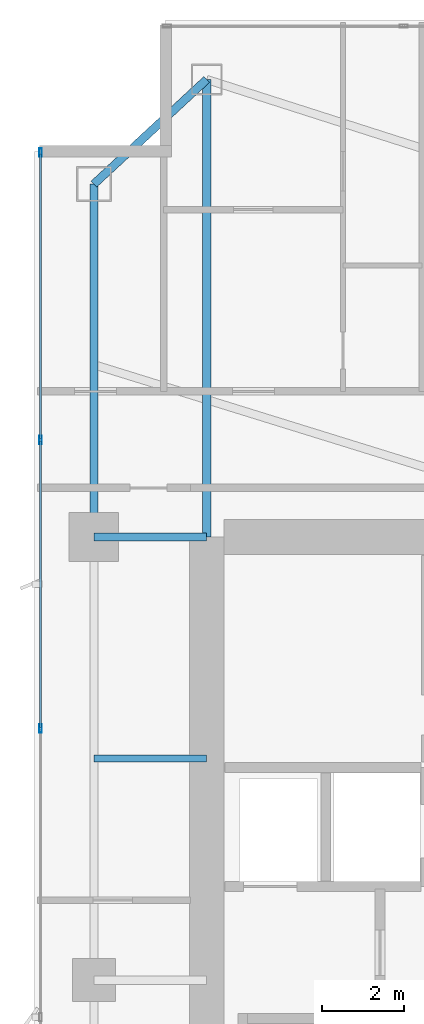
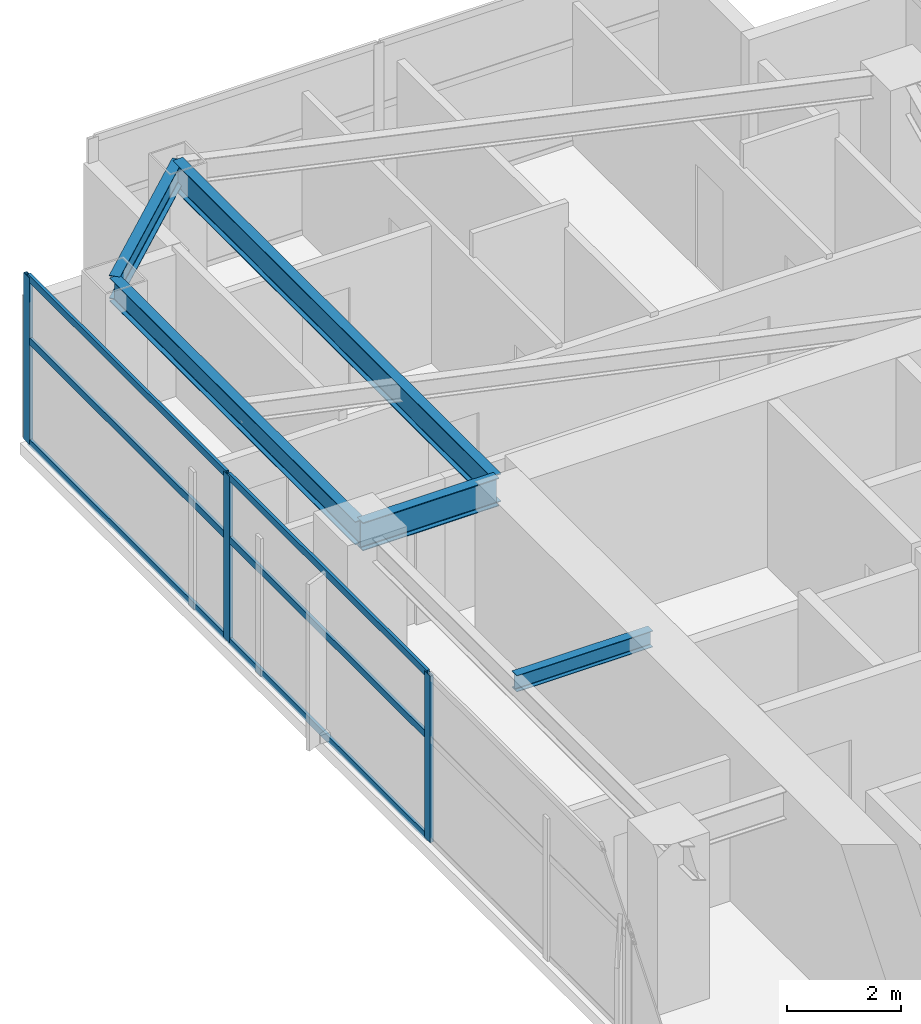
# One storey, part 16 of 29: 9 members, 5 beams, 1 element without a shape of its own.
"""IFC4 building model written with IfcOpenShell, lengths in metres."""

import ifcopenshell
import ifcopenshell.guid

model = None  # the IFC model being written
_history = None  # IfcOwnerHistory: only IFC2X3 demands one
_inside = {}  # id of a spatial element -> (the spatial element, [elements in it])
_under = {}  # id of a project, library or spatial element -> (it, [spatial elements below it])
_declared = {}  # id of a project -> (the project, [libraries it declares])
_typed = {}  # id of a type object -> (the type object, [elements of that type])
_made_of = {}  # id of a material, layer set ... -> (it, [elements and type objects made of it])


def new_model(schema):
    """Start an empty IFC model of exactly this schema.

    Asked for "IFC4X3", IfcOpenShell would pick the latest addendum, in which some entities
    have other attributes; the version numbers below select the first issue.
    IFC2X3 requires an IfcOwnerHistory on every rooted entity: one is made here for all.
    """
    global model, _history
    if schema == "IFC4X3":
        model = ifcopenshell.file(schema_version=(4, 3, 0, 0))
    else:
        model = ifcopenshell.file(schema=schema)
    _inside.clear()
    _under.clear()
    _declared.clear()
    _typed.clear()
    _made_of.clear()
    _history = None
    if model.schema == "IFC2X3":
        org = make("IfcOrganization", Name="unknown")
        user = make(
            "IfcPersonAndOrganization",
            ThePerson=make("IfcPerson", FamilyName="unknown"),
            TheOrganization=org,
        )
        app = make(
            "IfcApplication",
            ApplicationDeveloper=org,
            Version="unknown",
            ApplicationFullName="unknown",
            ApplicationIdentifier="unknown",
        )
        _history = make(
            "IfcOwnerHistory",
            OwningUser=user,
            OwningApplication=app,
            ChangeAction="ADDED",
            CreationDate=0,
        )
    return model


def make(cls, **values):
    """One entity of the class cls with the attributes given. An attribute that is None is left unset."""
    return model.create_entity(
        cls, **{name: value for name, value in values.items() if value is not None}
    )


def rooted(cls, **values):
    """An entity with a GlobalId (a new one), such as an element, a storey or a relation."""
    return make(cls, GlobalId=ifcopenshell.guid.new(), OwnerHistory=_history, **values)


def si_unit(unit_type, name, prefix=None):
    """IfcSIUnit, for example si_unit("LENGTHUNIT", "METRE", prefix="MILLI")."""
    return make("IfcSIUnit", UnitType=unit_type, Prefix=prefix, Name=name)


def assignment(units):
    """IfcUnitAssignment: the units of a project."""
    return None if units is None else make("IfcUnitAssignment", Units=units)


def point(xyz):
    """IfcCartesianPoint."""
    return None if xyz is None else make("IfcCartesianPoint", Coordinates=xyz)


def direction(xyz):
    """IfcDirection."""
    return None if xyz is None else make("IfcDirection", DirectionRatios=xyz)


def frame(location, z_axis=None, x_axis=None):
    """IfcAxis2Placement3D, a coordinate frame: its origin and axes. An axis left out is left unset."""
    return make(
        "IfcAxis2Placement3D",
        Location=point(location),
        Axis=direction(z_axis),
        RefDirection=direction(x_axis),
    )


def frame_2d(location, x_axis=None):
    """IfcAxis2Placement2D, a coordinate frame in the plane: its origin and x axis."""
    return make(
        "IfcAxis2Placement2D", Location=point(location), RefDirection=direction(x_axis)
    )


def origin():
    """The frame at (0, 0, 0) with its axes left unset."""
    return frame((0.0, 0.0, 0.0))


def origin_2d():
    """The frame at (0, 0) in the plane with its x axis left unset."""
    return frame_2d((0.0, 0.0))


def place(relative_to, where):
    """IfcLocalPlacement: puts the frame where relative to a parent placement (None: the world)."""
    return make(
        "IfcLocalPlacement", PlacementRelTo=relative_to, RelativePlacement=where
    )


def context(
    kind, dimensions, precision=None, world=None, true_north=None, identifier=None
):
    """IfcGeometricRepresentationContext, for example the 3D "Model" context."""
    return make(
        "IfcGeometricRepresentationContext",
        ContextIdentifier=identifier,
        ContextType=kind,
        CoordinateSpaceDimension=dimensions,
        Precision=precision,
        WorldCoordinateSystem=world,
        TrueNorth=true_north,
    )


def subcontext(parent, identifier, kind, view, scale=None):
    """IfcGeometricRepresentationSubContext, for example "Body" below "Model"."""
    return make(
        "IfcGeometricRepresentationSubContext",
        ContextIdentifier=identifier,
        ContextType=kind,
        ParentContext=parent,
        TargetScale=scale,
        TargetView=view,
    )


def project(units=None, contexts=None):
    """IfcProject with its units and contexts."""
    return rooted(
        "IfcProject",
        Name="project",
        RepresentationContexts=contexts,
        UnitsInContext=assignment(units),
    )


def spatial(cls, under=None, at=None, **own):
    """A site, building, storey or space (cls), placed at a placement, below another one or the project."""
    s = rooted(cls, ObjectPlacement=at, **own)
    if under is not None:
        _under.setdefault(under.id(), (under, []))[1].append(s)
    return s


def profile(cls, at=None, kind="AREA", **sizes):
    """A parametric profile (cls). Its sizes go by their IFC names, for example OverallWidth=200.0."""
    return make(cls, ProfileType=kind, Position=at, **sizes)


def hollow_rectangle(**sizes):
    """IfcRectangleHollowProfileDef."""
    return profile("IfcRectangleHollowProfileDef", **sizes)


def i_section(**sizes):
    """IfcIShapeProfileDef."""
    return profile("IfcIShapeProfileDef", **sizes)


def extrude(swept, where, along, depth):
    """IfcExtrudedAreaSolid: the profile swept, set in the frame where, extruded along a direction by depth."""
    return make(
        "IfcExtrudedAreaSolid",
        SweptArea=swept,
        Position=where,
        ExtrudedDirection=direction(along),
        Depth=depth,
    )


def shape(context_of_items, identifier, shape_type, items):
    """IfcShapeRepresentation: the items that make up one representation, for example the "Body"."""
    return make(
        "IfcShapeRepresentation",
        ContextOfItems=context_of_items,
        RepresentationIdentifier=identifier,
        RepresentationType=shape_type,
        Items=items,
    )


def material(Name=None, Category=None):
    """IfcMaterial."""
    return make("IfcMaterial", Name=Name, Category=Category)


def layer(
    of_material, thickness, ventilated=None, Name=None, Category=None, Priority=None
):
    """IfcMaterialLayer: one layer of a wall or slab, of a material (None: an air gap)."""
    return make(
        "IfcMaterialLayer",
        Material=of_material,
        LayerThickness=thickness,
        IsVentilated=ventilated,
        Name=Name,
        Category=Category,
        Priority=Priority,
    )


def layer_set(layers, Name=None):
    """IfcMaterialLayerSet."""
    return make("IfcMaterialLayerSet", MaterialLayers=layers, LayerSetName=Name)


def material_profile(
    of_material, cross_section, Name=None, Category=None, Priority=None
):
    """IfcMaterialProfile: a cross section and its material."""
    return make(
        "IfcMaterialProfile",
        Name=Name,
        Material=of_material,
        Profile=cross_section,
        Priority=Priority,
        Category=Category,
    )


def profile_set(profiles, Name=None, composite=None):
    """IfcMaterialProfileSet."""
    return make(
        "IfcMaterialProfileSet",
        Name=Name,
        MaterialProfiles=profiles,
        CompositeProfile=composite,
    )


def made_of(thing, what):
    """Note that an element or type object is made of a material, layer set ...; save() writes the relation."""
    if what is not None:
        _made_of.setdefault(what.id(), (what, []))[1].append(thing)
    return thing


def type_object(cls, material=None, **own):
    """A type object (cls), such as IfcWallType, which elements share."""
    return made_of(rooted(cls, **own), material)


def element(
    cls,
    number,
    at=None,
    inside=None,
    cuts=None,
    type_object=None,
    material=None,
    context=None,
    identifier="Body",
    shape_type=None,
    held_by="IfcProductDefinitionShape",
    body=None,
    shapes=None,
    **own,
):
    """One element of the class cls, such as IfcWall. Its Tag is "e" and its number.

    at: its placement. inside: the storey or other place that contains it. cuts: it is an
    opening in that element (IfcRelVoidsElement). A single representation is given by context,
    identifier, shape_type and body (its items); several are given by shapes. held_by: the class
    of the entity that holds the representations. save() writes the other relations.
    """
    e = rooted(cls, Tag="e%d" % number, ObjectPlacement=at, **own)
    if body is not None:
        shapes = [shape(context, identifier, shape_type, body)]
    if shapes is not None:
        e.Representation = make(held_by, Representations=shapes)
    if inside is not None:
        _inside.setdefault(inside.id(), (inside, []))[1].append(e)
    if cuts is not None:
        rooted(
            "IfcRelVoidsElement", RelatingBuildingElement=cuts, RelatedOpeningElement=e
        )
    if type_object is not None:
        _typed.setdefault(type_object.id(), (type_object, []))[1].append(e)
    return made_of(e, material)


def aggregate(whole, parts):
    """IfcRelAggregates: a whole, such as a stair, and the parts it consists of."""
    return rooted("IfcRelAggregates", RelatingObject=whole, RelatedObjects=parts)


def save(model, path):
    """Write the relations noted so far, then the file.

    IfcRelAggregates (storeys below a building ...), IfcRelContainedInSpatialStructure (elements
    in a storey), IfcRelDefinesByType, IfcRelAssociatesMaterial and IfcRelDeclares: one each for
    every whole, place, type object, material and project.
    """
    for whole, parts in _under.values():
        aggregate(whole, parts)
    for where, things in _inside.values():
        rooted(
            "IfcRelContainedInSpatialStructure",
            RelatedElements=things,
            RelatingStructure=where,
        )
    for kind, things in _typed.values():
        rooted("IfcRelDefinesByType", RelatedObjects=things, RelatingType=kind)
    for what, things in _made_of.values():
        rooted("IfcRelAssociatesMaterial", RelatedObjects=things, RelatingMaterial=what)
    for by, libraries in _declared.values():
        rooted("IfcRelDeclares", RelatingContext=by, RelatedDefinitions=libraries)
    model.write(path)


model = new_model("IFC4")

# Units and contexts
model_context = context("Model", 3, precision=1e-05, world=origin(), true_north=direction((0.0, 1.0)))
body_context = subcontext(model_context, "Body", "Model", "MODEL_VIEW")
ifc_project = project(units=[si_unit("LENGTHUNIT", "METRE"), si_unit("AREAUNIT", "SQUARE_METRE"), si_unit("VOLUMEUNIT", "CUBIC_METRE"), si_unit("PLANEANGLEUNIT", "RADIAN"), si_unit("MASSUNIT", "GRAM", prefix="KILO")], contexts=[model_context])

# Site, building, storey
site_placement = place(None, origin())
site = spatial("IfcSite", under=ifc_project, at=site_placement, CompositionType="ELEMENT")
building_placement = place(site_placement, origin())
building = spatial("IfcBuilding", under=site, at=building_placement, Name="Calvorn Quay Hotel", CompositionType="ELEMENT")
storey_placement = place(building_placement, frame((0.0, 0.0, 175.10009765625)))
storey = spatial("IfcBuildingStorey", under=building, at=storey_placement, Name="L43", CompositionType="ELEMENT", Elevation=175.10009765625)

# Beams
ifc_material_1 = material(Name="Steel Q355B", Category="steel")
ifc_material_profile_1 = material_profile(ifc_material_1, i_section(OverallWidth=0.199951171875, OverallDepth=0.60009765625, WebThickness=0.010986328125, FlangeThickness=0.01708984375, FilletRadius=0.01806640625, at=origin_2d()), Name="HN600x200x11x17")
ifc_profile_set_1 = profile_set([ifc_material_profile_1], Name="Steel Q355B")
beam_type_1 = type_object("IfcBeamType", Name="BM-GIRD-TYP", PredefinedType="BEAM", material=ifc_profile_set_1)
beam_1_placement = place(storey_placement, frame((1.449951171875, 38.39990234375, 3.239990234375), z_axis=(1.0, 0.0, 0.0), x_axis=(0.0, 1.0, 0.0)))
element("IfcBeam", 1, at=beam_1_placement, inside=storey, type_object=beam_type_1, Name="Beam BG-L43-W3", PredefinedType="BEAM", context=body_context, shape_type="SweptSolid", body=[
    extrude(i_section(OverallWidth=0.199951171875, OverallDepth=0.60009765625, WebThickness=0.010986328125, FlangeThickness=0.01708984375, FilletRadius=0.01806640625, at=origin_2d()), origin(), (0.0, 0.0, 1.0), 2.75),
])
beam_2_placement = place(storey_placement, frame((4.199951171875, 49.550048828125, 3.239990234375), z_axis=(0.0, -1.0, 0.0), x_axis=(1.0, 0.0, 0.0)))
element("IfcBeam", 2, at=beam_2_placement, inside=storey, type_object=beam_type_1, Name="Beam BG-L43-W5", PredefinedType="BEAM", context=body_context, shape_type="SweptSolid", body=[
    extrude(i_section(OverallWidth=0.199951171875, OverallDepth=0.60009765625, WebThickness=0.010986328125, FlangeThickness=0.01708984375, FilletRadius=0.01806640625, at=origin_2d()), origin(), (0.0, 0.0, 1.0), 11.150146484375),
])
ifc_material_2 = material(Name="Steel Q355B", Category="steel")
ifc_material_profile_2 = material_profile(ifc_material_2, i_section(OverallWidth=0.175048828125, OverallDepth=0.35009765625, WebThickness=0.007080078125, FlangeThickness=0.010986328125, FilletRadius=0.013916015625, at=origin_2d()), Name="HN350x175x7x11")
ifc_profile_set_2 = profile_set([ifc_material_profile_2], Name="Steel Q355B")
beam_type_2 = type_object("IfcBeamType", Name="BM-JOIST-SEC", PredefinedType="JOIST", material=ifc_profile_set_2)
beam_3_placement = place(storey_placement, frame((1.449951171875, 33.0, 3.364990234375), z_axis=(1.0, 0.0, 0.0), x_axis=(0.0, 1.0, 0.0)))
element("IfcBeam", 3, at=beam_3_placement, inside=storey, type_object=beam_type_2, Name="Beam BJ-L43-W4", PredefinedType="JOIST", context=body_context, shape_type="SweptSolid", body=[
    extrude(i_section(OverallWidth=0.175048828125, OverallDepth=0.35009765625, WebThickness=0.007080078125, FlangeThickness=0.010986328125, FilletRadius=0.013916015625, at=origin_2d()), origin(), (0.0, 0.0, 1.0), 2.75),
])
ifc_material_3 = material(Name="Steel Q355B", Category="steel")
ifc_material_profile_3 = material_profile(ifc_material_3, i_section(OverallWidth=0.199951171875, OverallDepth=0.5, WebThickness=0.010009765625, FlangeThickness=0.01611328125, FilletRadius=0.01611328125, at=origin_2d()), Name="HN500x200x10x16")
ifc_profile_set_3 = profile_set([ifc_material_profile_3], Name="Steel Q355B")
beam_type_3 = type_object("IfcBeamType", Name="BM-SPANDREL-Z1", PredefinedType="SPANDREL", material=ifc_profile_set_3)
beam_4_placement = place(storey_placement, frame((1.449951171875, 38.39990234375, 3.289794921875), z_axis=(0.0, 1.0, 0.0), x_axis=(-1.0, 0.0, 0.0)))
element("IfcBeam", 4, at=beam_4_placement, inside=storey, type_object=beam_type_3, Name="Beam BSP-L43-W4", PredefinedType="SPANDREL", context=body_context, shape_type="SweptSolid", body=[
    extrude(i_section(OverallWidth=0.199951171875, OverallDepth=0.5, WebThickness=0.010009765625, FlangeThickness=0.01611328125, FilletRadius=0.01611328125, at=origin_2d()), origin(), (0.0, 0.0, 1.0), 8.60009765625),
])
beam_5_placement = place(storey_placement, frame((1.449951171875, 47.0, 3.289794921875), z_axis=(0.733261665538, 0.679946563969, 0.0), x_axis=(-0.679946563969, 0.733261665538, 0.0)))
element("IfcBeam", 5, at=beam_5_placement, inside=storey, type_object=beam_type_3, Name="Beam BSP-L43-W5", PredefinedType="SPANDREL", context=body_context, shape_type="SweptSolid", body=[
    extrude(i_section(OverallWidth=0.199951171875, OverallDepth=0.5, WebThickness=0.010009765625, FlangeThickness=0.01611328125, FilletRadius=0.01611328125, at=origin_2d()), origin(), (0.0, 0.0, 1.0), 3.75048828125),
])

# Curtain wall, members
ifc_material_4 = material(Name="Pale Anodised Aluminium and Low-E Glass", Category="aluminium")
ifc_layer = layer(ifc_material_4, 0.219970703125)
ifc_layer_set = layer_set([ifc_layer], Name="CW-SYS-Z2")
curtain_wall_type = type_object("IfcCurtainWallType", Name="CW-SYS-Z2", PredefinedType="NOTDEFINED", material=ifc_layer_set)
curtain_wall_placement = place(storey_placement, origin())
curtain_wall = element("IfcCurtainWall", 6, at=curtain_wall_placement, inside=storey, type_object=curtain_wall_type, Name="Tower West Curtain Wall (L43)", PredefinedType="NOTDEFINED")
ifc_material_5 = material(Name="Pale Anodised Aluminium 6063-T6", Category="aluminium")
ifc_material_profile_4 = material_profile(ifc_material_5, hollow_rectangle(XDim=0.070068359375, YDim=0.199951171875, WallThickness=0.00390625, at=origin_2d()), Name="ALU-M200x70x4")
ifc_profile_set_4 = profile_set([ifc_material_profile_4], Name="Pale Anodised Aluminium 6063-T6")
member_type_1 = type_object("IfcMemberType", Name="CW-SYS-Z2-MUL", PredefinedType="MULLION", material=ifc_profile_set_4)
member_1_placement = place(storey_placement, frame((0.14990234375, 33.7333984375, 0.0), z_axis=(0.0, 0.0, 1.0), x_axis=(-1.0, 0.0, 0.0)))
member_1 = element("IfcMember", 7, at=member_1_placement, type_object=member_type_1, Name="CW-L43-W mullion 5", PredefinedType="MULLION", context=body_context, shape_type="SweptSolid", body=[
    extrude(hollow_rectangle(XDim=0.070068359375, YDim=0.199951171875, WallThickness=0.00390625, at=origin_2d()), origin(), (0.0, 0.0, 1.0), 3.559814453125),
])
member_2_placement = place(storey_placement, frame((0.14990234375, 40.7666015625, 0.0), z_axis=(0.0, 0.0, 1.0), x_axis=(-1.0, 0.0, 0.0)))
member_2 = element("IfcMember", 8, at=member_2_placement, type_object=member_type_1, Name="CW-L43-W mullion 6", PredefinedType="MULLION", context=body_context, shape_type="SweptSolid", body=[
    extrude(hollow_rectangle(XDim=0.070068359375, YDim=0.199951171875, WallThickness=0.00390625, at=origin_2d()), origin(), (0.0, 0.0, 1.0), 3.559814453125),
])
member_3_placement = place(storey_placement, frame((0.14990234375, 47.77001953125, 0.0), z_axis=(0.0, 0.0, 1.0), x_axis=(-1.0, 0.0, 0.0)))
member_3 = element("IfcMember", 9, at=member_3_placement, type_object=member_type_1, Name="CW-L43-W mullion 7", PredefinedType="MULLION", context=body_context, shape_type="SweptSolid", body=[
    extrude(hollow_rectangle(XDim=0.070068359375, YDim=0.199951171875, WallThickness=0.00390625, at=origin_2d()), origin(), (0.0, 0.0, 1.0), 3.559814453125),
])
ifc_material_6 = material(Name="Pale Anodised Aluminium 6063-T6", Category="aluminium")
ifc_material_profile_5 = material_profile(ifc_material_6, hollow_rectangle(XDim=0.06005859375, YDim=0.14990234375, WallThickness=0.00341796875, at=origin_2d()), Name="ALU-T150x60x3.5")
ifc_profile_set_5 = profile_set([ifc_material_profile_5], Name="Pale Anodised Aluminium 6063-T6")
member_type_2 = type_object("IfcMemberType", Name="CW-SYS-Z2-TRN", PredefinedType="USERDEFINED", material=ifc_profile_set_5)
member_4_placement = place(storey_placement, frame((0.14990234375, 33.763427734375, 0.02978515625), z_axis=(0.0, 1.0, 0.0), x_axis=(-1.0, 0.0, 0.0)))
member_4 = element("IfcMember", 10, at=member_4_placement, type_object=member_type_2, Name="CW-L43-W transom 5.1", ObjectType="TRANSOM", PredefinedType="USERDEFINED", context=body_context, shape_type="SweptSolid", body=[
    extrude(hollow_rectangle(XDim=0.06005859375, YDim=0.14990234375, WallThickness=0.00341796875, at=origin_2d()), origin(), (0.0, 0.0, 1.0), 6.97314453125),
])
member_5_placement = place(storey_placement, frame((0.14990234375, 33.763427734375, 2.199951171875), z_axis=(0.0, 1.0, 0.0), x_axis=(-1.0, 0.0, 0.0)))
member_5 = element("IfcMember", 11, at=member_5_placement, type_object=member_type_2, Name="CW-L43-W transom 5.2", ObjectType="TRANSOM", PredefinedType="USERDEFINED", context=body_context, shape_type="SweptSolid", body=[
    extrude(hollow_rectangle(XDim=0.06005859375, YDim=0.14990234375, WallThickness=0.00341796875, at=origin_2d()), origin(), (0.0, 0.0, 1.0), 6.97314453125),
])
member_6_placement = place(storey_placement, frame((0.14990234375, 33.763427734375, 3.52978515625), z_axis=(0.0, 1.0, 0.0), x_axis=(-1.0, 0.0, 0.0)))
member_6 = element("IfcMember", 12, at=member_6_placement, type_object=member_type_2, Name="CW-L43-W transom 5.3", ObjectType="TRANSOM", PredefinedType="USERDEFINED", context=body_context, shape_type="SweptSolid", body=[
    extrude(hollow_rectangle(XDim=0.06005859375, YDim=0.14990234375, WallThickness=0.00341796875, at=origin_2d()), origin(), (0.0, 0.0, 1.0), 6.97314453125),
])
member_7_placement = place(storey_placement, frame((0.14990234375, 40.796630859375, 0.02978515625), z_axis=(0.0, 1.0, 0.0), x_axis=(-1.0, 0.0, 0.0)))
member_7 = element("IfcMember", 13, at=member_7_placement, type_object=member_type_2, Name="CW-L43-W transom 6.1", ObjectType="TRANSOM", PredefinedType="USERDEFINED", context=body_context, shape_type="SweptSolid", body=[
    extrude(hollow_rectangle(XDim=0.06005859375, YDim=0.14990234375, WallThickness=0.00341796875, at=origin_2d()), origin(), (0.0, 0.0, 1.0), 6.943359375),
])
member_8_placement = place(storey_placement, frame((0.14990234375, 40.796630859375, 2.199951171875), z_axis=(0.0, 1.0, 0.0), x_axis=(-1.0, 0.0, 0.0)))
member_8 = element("IfcMember", 14, at=member_8_placement, type_object=member_type_2, Name="CW-L43-W transom 6.2", ObjectType="TRANSOM", PredefinedType="USERDEFINED", context=body_context, shape_type="SweptSolid", body=[
    extrude(hollow_rectangle(XDim=0.06005859375, YDim=0.14990234375, WallThickness=0.00341796875, at=origin_2d()), origin(), (0.0, 0.0, 1.0), 6.943359375),
])
member_9_placement = place(storey_placement, frame((0.14990234375, 40.796630859375, 3.52978515625), z_axis=(0.0, 1.0, 0.0), x_axis=(-1.0, 0.0, 0.0)))
member_9 = element("IfcMember", 15, at=member_9_placement, type_object=member_type_2, Name="CW-L43-W transom 6.3", ObjectType="TRANSOM", PredefinedType="USERDEFINED", context=body_context, shape_type="SweptSolid", body=[
    extrude(hollow_rectangle(XDim=0.06005859375, YDim=0.14990234375, WallThickness=0.00341796875, at=origin_2d()), origin(), (0.0, 0.0, 1.0), 6.943359375),
])
aggregate(curtain_wall, [member_1, member_2, member_3, member_4, member_5, member_6, member_7, member_8, member_9])

save(model, "model.ifc")
